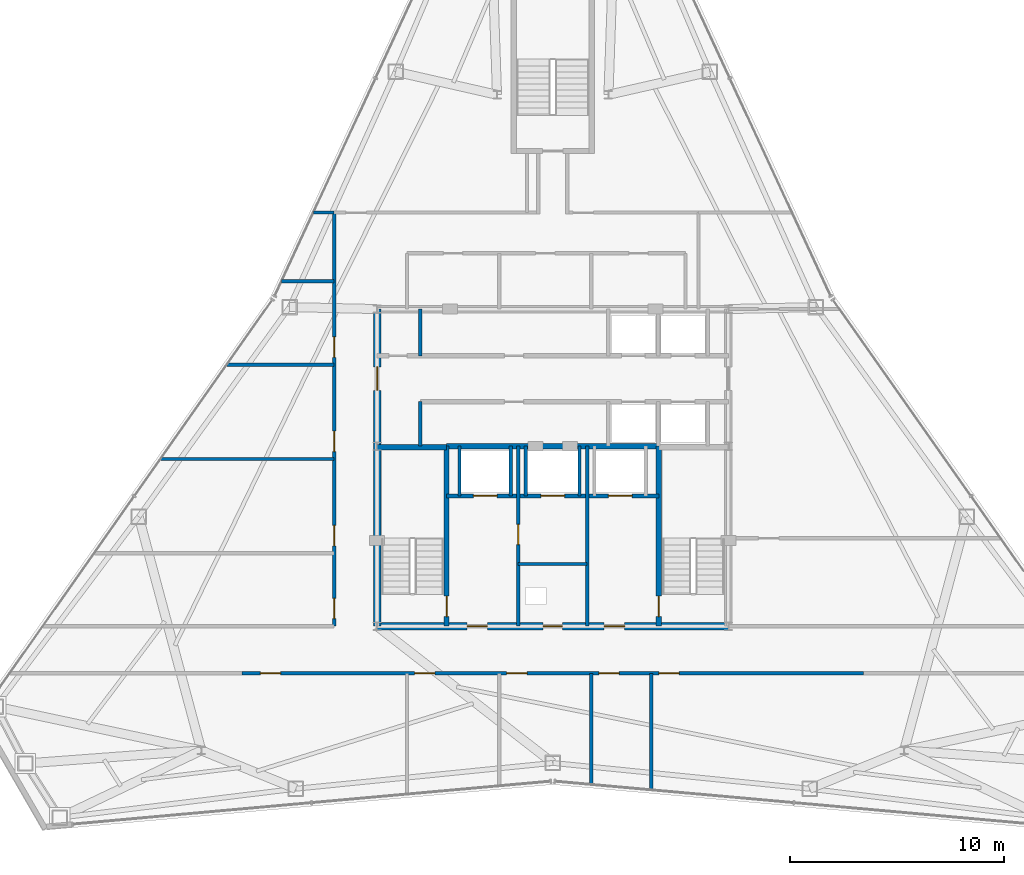
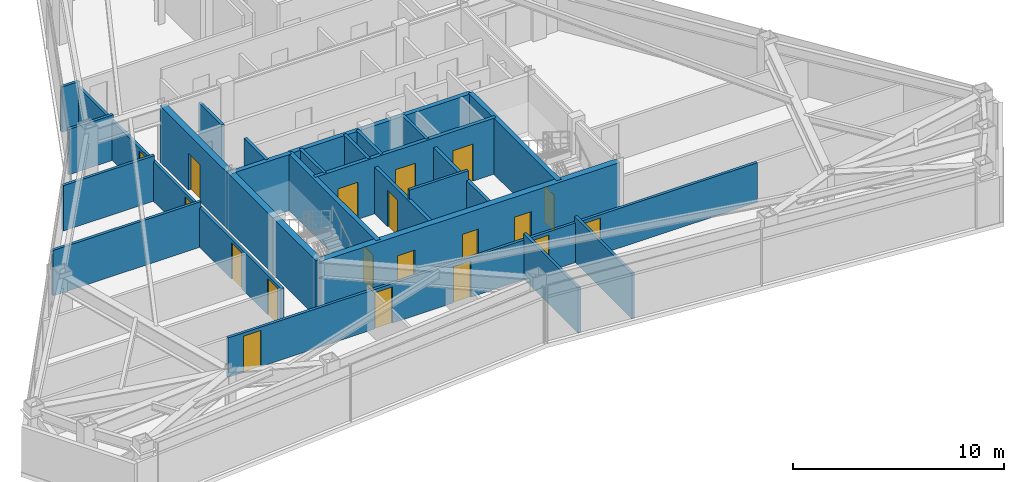
# One storey, part 9 of 12: 24 walls, 19 doors, 19 openings.
"""IFC4 building model written with IfcOpenShell, lengths in metres."""

from ifc_helpers import new_model, si_unit, direction, frame, frame_2d, origin, place, context, subcontext, project, spatial, rectangle, extrude, material, layer, layer_set, type_object, element, fill, save


model = new_model("IFC4")

# Units and contexts
model_context = context("Model", 3, precision=1e-05, world=origin(), true_north=direction((0.0, 1.0)))
body_context = subcontext(model_context, "Body", "Model", "MODEL_VIEW")
ifc_project = project(units=[si_unit("LENGTHUNIT", "METRE"), si_unit("AREAUNIT", "SQUARE_METRE"), si_unit("VOLUMEUNIT", "CUBIC_METRE"), si_unit("PLANEANGLEUNIT", "RADIAN"), si_unit("MASSUNIT", "GRAM", prefix="KILO")], contexts=[model_context])

# Site, building, storey
site_placement = place(None, origin())
site = spatial("IfcSite", under=ifc_project, at=site_placement, CompositionType="ELEMENT")
building_placement = place(site_placement, origin())
building = spatial("IfcBuilding", under=site, at=building_placement, Name="Varakhsha Concourse Tower", CompositionType="ELEMENT")
storey_placement = place(building_placement, frame((0.0, 0.0, 236.39990234375)))
storey = spatial("IfcBuildingStorey", under=building, at=storey_placement, Name="L67", CompositionType="ELEMENT", Elevation=236.39990234375)

# Wall, openings, doors
ifc_material_1 = material(Name="Concrete fc 65 MPa", Category="concrete")
ifc_layer_1 = layer(ifc_material_1, 0.35009765625, Name="WL-CORE-350")
ifc_layer_set_1 = layer_set([ifc_layer_1], Name="Concrete fc 65 MPa")
wall_type_1 = type_object("IfcWallType", Name="WL-CORE-350", PredefinedType="SHEAR", material=ifc_layer_set_1)
wall_1_placement = place(storey_placement, frame((31.800048828125, 16.39990234375, 0.0), z_axis=(0.0, 0.0, 1.0), x_axis=(1.0, 0.0, 0.0)))
wall_1 = element("IfcWall", 1, at=wall_1_placement, inside=storey, type_object=wall_type_1, Name="L67 Wall CWALL-S-L67", PredefinedType="SHEAR", context=body_context, shape_type="SweptSolid", body=[
    extrude(rectangle(XDim=16.39990234375, YDim=0.35009765625, at=frame_2d((8.199951171875, 0.0))), origin(), (0.0, 0.0, 1.0), 3.25),
])
opening_1_placement = place(wall_1_placement, frame((7.75, 0.0, 0.0)))
opening_1 = element("IfcOpeningElement", 2, at=opening_1_placement, cuts=wall_1, Name="Opening DF-06", PredefinedType="OPENING", context=body_context, shape_type="SweptSolid", body=[
    extrude(rectangle(XDim=0.89990234375, YDim=2.10009765625, at=frame_2d((0.449951171875, 1.050048828125))), frame((0.0, 0.18505859375, 0.0), z_axis=(0.0, -1.0, 0.0), x_axis=(1.0, 0.0, 0.0)), (0.0, 0.0, 1.0), 0.3701171875),
])
opening_2_placement = place(wall_1_placement, frame((4.199951171875, 0.0, 0.0)))
opening_2 = element("IfcOpeningElement", 3, at=opening_2_placement, cuts=wall_1, Name="Opening DF-05", PredefinedType="OPENING", context=body_context, shape_type="SweptSolid", body=[
    extrude(rectangle(XDim=0.949951171875, YDim=2.10009765625, at=frame_2d((0.47509765625, 1.050048828125))), frame((0.0, 0.18505859375, 0.0), z_axis=(0.0, -1.0, 0.0), x_axis=(1.0, 0.0, 0.0)), (0.0, 0.0, 1.0), 0.3701171875),
])
opening_3_placement = place(wall_1_placement, frame((10.60009765625, 0.0, 0.0)))
opening_3 = element("IfcOpeningElement", 4, at=opening_3_placement, cuts=wall_1, Name="Opening DF-05", PredefinedType="OPENING", context=body_context, shape_type="SweptSolid", body=[
    extrude(rectangle(XDim=0.949951171875, YDim=2.10009765625, at=frame_2d((0.47509765625, 1.050048828125))), frame((0.0, 0.18505859375, 0.0), z_axis=(0.0, -1.0, 0.0), x_axis=(1.0, 0.0, 0.0)), (0.0, 0.0, 1.0), 0.3701171875),
])
ifc_material_2 = material(Name="Hollow Galvanised Steel Fire Door Assembly", Category="steel")
door_type_1 = type_object("IfcDoorType", Name="DR-FD60-900", OperationType="NOTDEFINED", PredefinedType="DOOR", material=ifc_material_2)
door_1_placement = place(opening_1_placement, origin())
door_1 = element("IfcDoor", 5, at=door_1_placement, inside=storey, type_object=door_type_1, Name="L67 Electrical Riser Access Door", OperationType="SINGLE_SWING_LEFT", OverallHeight=2.10009765625, OverallWidth=0.89990234375, PredefinedType="DOOR", context=body_context, shape_type="SweptSolid", body=[
    extrude(rectangle(XDim=0.89990234375, YDim=2.10009765625, at=frame_2d((0.449951171875, 1.050048828125))), frame((0.0, 0.02490234375, 0.0), z_axis=(0.0, -1.0, 0.0), x_axis=(1.0, 0.0, 0.0)), (0.0, 0.0, 1.0), 0.050048828125),
])
fill(opening_1, door_1)
door_type_2 = type_object("IfcDoorType", Name="DR-FD60-950", OperationType="NOTDEFINED", PredefinedType="DOOR", material=ifc_material_2)
door_2_placement = place(opening_2_placement, origin())
door_2 = element("IfcDoor", 6, at=door_2_placement, inside=storey, type_object=door_type_2, Name="L67 Firefighting Lobby West Door", OperationType="SINGLE_SWING_RIGHT", OverallHeight=2.10009765625, OverallWidth=0.949951171875, PredefinedType="DOOR", context=body_context, shape_type="SweptSolid", body=[
    extrude(rectangle(XDim=0.949951171875, YDim=2.10009765625, at=frame_2d((0.47509765625, 1.050048828125))), frame((0.0, 0.02490234375, 0.0), z_axis=(0.0, -1.0, 0.0), x_axis=(1.0, 0.0, 0.0)), (0.0, 0.0, 1.0), 0.050048828125),
])
fill(opening_2, door_2)
door_3_placement = place(opening_3_placement, origin())
door_3 = element("IfcDoor", 7, at=door_3_placement, inside=storey, type_object=door_type_2, Name="L67 Firefighting Lobby East Door", OperationType="SINGLE_SWING_LEFT", OverallHeight=2.10009765625, OverallWidth=0.949951171875, PredefinedType="DOOR", context=body_context, shape_type="SweptSolid", body=[
    extrude(rectangle(XDim=0.949951171875, YDim=2.10009765625, at=frame_2d((0.47509765625, 1.050048828125))), frame((0.0, 0.02490234375, 0.0), z_axis=(0.0, -1.0, 0.0), x_axis=(1.0, 0.0, 0.0)), (0.0, 0.0, 1.0), 0.050048828125),
])
fill(opening_3, door_3)

# Wall, opening, door
wall_2_placement = place(storey_placement, frame((31.800048828125, 16.39990234375, 0.0), z_axis=(0.0, 0.0, 1.0), x_axis=(0.0, 1.0, 0.0)))
wall_2 = element("IfcWall", 8, at=wall_2_placement, inside=storey, type_object=wall_type_1, Name="L67 Wall CWALL-W-L67", PredefinedType="SHEAR", context=body_context, shape_type="SweptSolid", body=[
    extrude(rectangle(XDim=14.800048828125, YDim=0.35009765625, at=frame_2d((7.39990234375, 0.0))), origin(), (0.0, 0.0, 1.0), 3.25),
])
opening_4_placement = place(wall_2_placement, frame((11.0, 0.0, 0.0)))
opening_4 = element("IfcOpeningElement", 9, at=opening_4_placement, cuts=wall_2, Name="Opening DL-01", PredefinedType="OPENING", context=body_context, shape_type="SweptSolid", body=[
    extrude(rectangle(XDim=1.10009765625, YDim=2.14990234375, at=frame_2d((0.550048828125, 1.074951171875))), frame((0.0, 0.18505859375, 0.0), z_axis=(0.0, -1.0, 0.0), x_axis=(1.0, 0.0, 0.0)), (0.0, 0.0, 1.0), 0.3701171875),
])
ifc_material_3 = material(Name="Anodised Bronze Architectural Aluminium AA 6063-T6", Category="aluminium")
door_type_3 = type_object("IfcDoorType", Name="DR-LOB-1100", OperationType="NOTDEFINED", PredefinedType="DOOR", material=ifc_material_3)
door_4_placement = place(opening_4_placement, origin())
door_4 = element("IfcDoor", 10, at=door_4_placement, inside=storey, type_object=door_type_3, Name="L67 Lift Lobby West Concourse Door", OperationType="SINGLE_SWING_LEFT", OverallHeight=2.14990234375, OverallWidth=1.10009765625, PredefinedType="DOOR", context=body_context, shape_type="SweptSolid", body=[
    extrude(rectangle(XDim=1.10009765625, YDim=2.14990234375, at=frame_2d((0.550048828125, 1.074951171875))), frame((0.0, 0.02490234375, 0.0), z_axis=(0.0, -1.0, 0.0), x_axis=(1.0, 0.0, 0.0)), (0.0, 0.0, 1.0), 0.050048828125),
])
fill(opening_4, door_4)

ifc_material_4 = material(Name="Fire-Rated Type X Gypsum Partition Assembly", Category="gypsum")
ifc_layer_2 = layer(ifc_material_4, 0.179931640625, Name="WL-FFLOB-180")
ifc_layer_set_2 = layer_set([ifc_layer_2], Name="Fire-Rated Type X Gypsum Partition Assembly")
wall_type_2 = type_object("IfcWallType", Name="WL-FFLOB-180", PredefinedType="PARTITIONING", material=ifc_layer_set_2)
wall_3_placement = place(storey_placement, frame((38.389892578125, 16.39990234375, 0.0), z_axis=(0.0, 0.0, 1.0), x_axis=(0.0, 1.0, 0.0)))
wall_3 = element("IfcWall", 11, at=wall_3_placement, inside=storey, type_object=wall_type_2, Name="L67 Wall FFW-1E-L67", PredefinedType="PARTITIONING", context=body_context, shape_type="SweptSolid", body=[
    extrude(rectangle(XDim=8.400146484375, YDim=0.179931640625, at=frame_2d((4.2001953125, 0.0))), origin(), (0.0, 0.0, 1.0), 2.705078125),
])
opening_5_placement = place(wall_3_placement, frame((3.800048828125, 0.0, 0.0)))
opening_5 = element("IfcOpeningElement", 12, at=opening_5_placement, cuts=wall_3, Name="Opening DF-05", PredefinedType="OPENING", context=body_context, shape_type="SweptSolid", body=[
    extrude(rectangle(XDim=0.949951171875, YDim=2.10009765625, at=frame_2d((0.47509765625, 1.050048828125))), frame((0.0, 0.099853515625, 0.0), z_axis=(0.0, -1.0, 0.0), x_axis=(1.0, 0.0, 0.0)), (0.0, 0.0, 1.0), 0.199951171875),
])
door_5_placement = place(opening_5_placement, origin())
door_5 = element("IfcDoor", 13, at=door_5_placement, inside=storey, type_object=door_type_2, Name="L67 Service Vestibule Door", OperationType="SINGLE_SWING_RIGHT", OverallHeight=2.10009765625, OverallWidth=0.949951171875, PredefinedType="DOOR", context=body_context, shape_type="SweptSolid", body=[
    extrude(rectangle(XDim=0.949951171875, YDim=2.10009765625, at=frame_2d((0.47509765625, 1.050048828125))), frame((0.0, 0.02490234375, 0.0), z_axis=(0.0, -1.0, 0.0), x_axis=(1.0, 0.0, 0.0)), (0.0, 0.0, 1.0), 0.050048828125),
])
fill(opening_5, door_5)

# Walls
wall_4_placement = place(storey_placement, frame((41.610107421875, 16.39990234375, 0.0), z_axis=(0.0, 0.0, 1.0), x_axis=(0.0, 1.0, 0.0)))
element("IfcWall", 14, at=wall_4_placement, inside=storey, type_object=wall_type_2, Name="L67 Wall FFW-2W-L67", PredefinedType="PARTITIONING", context=body_context, shape_type="SweptSolid", body=[
    extrude(rectangle(XDim=8.400146484375, YDim=0.179931640625, at=frame_2d((4.2001953125, 0.0))), origin(), (0.0, 0.0, 1.0), 2.705078125),
])
ifc_layer_3 = layer(ifc_material_4, 0.14990234375, Name="WL-PART-150")
ifc_layer_set_3 = layer_set([ifc_layer_3], Name="Fire-Rated Type X Gypsum Partition Assembly")
wall_type_3 = type_object("IfcWallType", Name="WL-PART-150", PredefinedType="PARTITIONING", material=ifc_layer_set_3)
wall_5_placement = place(storey_placement, frame((38.389892578125, 19.300048828125, 0.0), z_axis=(0.0, 0.0, 1.0), x_axis=(1.0, 0.0, 0.0)))
element("IfcWall", 15, at=wall_5_placement, inside=storey, type_object=wall_type_3, Name="L67 Wall RSW-H-L67", PredefinedType="PARTITIONING", context=body_context, shape_type="SweptSolid", body=[
    extrude(rectangle(XDim=3.22021484375, YDim=0.14990234375, at=frame_2d((1.610107421875, 0.0))), origin(), (0.0, 0.0, 1.0), 3.25),
])

# Wall, openings, doors
wall_6_placement = place(storey_placement, frame((29.800048828125, 16.39990234375, 0.0), z_axis=(0.0, 0.0, 1.0), x_axis=(0.0, 1.0, 0.0)))
wall_6 = element("IfcWall", 16, at=wall_6_placement, inside=storey, type_object=wall_type_3, Name="L67 Wall CRW-W-L67", PredefinedType="PARTITIONING", context=body_context, shape_type="SweptSolid", body=[
    extrude(rectangle(XDim=19.300048828125, YDim=0.14990234375, at=frame_2d((9.64990234375, 0.0))), origin(), (0.0, 0.0, 1.0), 2.2919921875),
])
opening_6_placement = place(wall_6_placement, frame((0.35009765625, 0.0, 0.0)))
opening_6 = element("IfcOpeningElement", 17, at=opening_6_placement, cuts=wall_6, Name="Opening DF-05", PredefinedType="OPENING", context=body_context, shape_type="SweptSolid", body=[
    extrude(rectangle(XDim=0.949951171875, YDim=2.10009765625, at=frame_2d((0.47509765625, 1.050048828125))), frame((0.0, 0.0849609375, 0.0), z_axis=(0.0, -1.0, 0.0), x_axis=(1.0, 0.0, 0.0)), (0.0, 0.0, 1.0), 0.169921875),
])
opening_7_placement = place(wall_6_placement, frame((3.75, 0.0, 0.0)))
opening_7 = element("IfcOpeningElement", 18, at=opening_7_placement, cuts=wall_6, Name="Opening DF-05", PredefinedType="OPENING", context=body_context, shape_type="SweptSolid", body=[
    extrude(rectangle(XDim=0.949951171875, YDim=2.10009765625, at=frame_2d((0.47509765625, 1.050048828125))), frame((0.0, 0.0849609375, 0.0), z_axis=(0.0, -1.0, 0.0), x_axis=(1.0, 0.0, 0.0)), (0.0, 0.0, 1.0), 0.169921875),
])
opening_8_placement = place(wall_6_placement, frame((8.14990234375, 0.0, 0.0)))
opening_8 = element("IfcOpeningElement", 19, at=opening_8_placement, cuts=wall_6, Name="Opening DF-05", PredefinedType="OPENING", context=body_context, shape_type="SweptSolid", body=[
    extrude(rectangle(XDim=0.949951171875, YDim=2.10009765625, at=frame_2d((0.47509765625, 1.050048828125))), frame((0.0, 0.0849609375, 0.0), z_axis=(0.0, -1.0, 0.0), x_axis=(1.0, 0.0, 0.0)), (0.0, 0.0, 1.0), 0.169921875),
])
opening_9_placement = place(wall_6_placement, frame((12.550048828125, 0.0, 0.0)))
opening_9 = element("IfcOpeningElement", 20, at=opening_9_placement, cuts=wall_6, Name="Opening DF-05", PredefinedType="OPENING", context=body_context, shape_type="SweptSolid", body=[
    extrude(rectangle(XDim=0.949951171875, YDim=2.10009765625, at=frame_2d((0.47509765625, 1.050048828125))), frame((0.0, 0.0849609375, 0.0), z_axis=(0.0, -1.0, 0.0), x_axis=(1.0, 0.0, 0.0)), (0.0, 0.0, 1.0), 0.169921875),
])
door_6_placement = place(opening_6_placement, origin())
door_6 = element("IfcDoor", 21, at=door_6_placement, inside=storey, type_object=door_type_2, Name="L67 Chambers Break Kitchen L67 Door", OperationType="SINGLE_SWING_RIGHT", OverallHeight=2.10009765625, OverallWidth=0.949951171875, PredefinedType="DOOR", context=body_context, shape_type="SweptSolid", body=[
    extrude(rectangle(XDim=0.949951171875, YDim=2.10009765625, at=frame_2d((0.47509765625, 1.050048828125))), frame((0.0, 0.02490234375, 0.0), z_axis=(0.0, -1.0, 0.0), x_axis=(1.0, 0.0, 0.0)), (0.0, 0.0, 1.0), 0.050048828125),
])
fill(opening_6, door_6)
door_7_placement = place(opening_7_placement, origin())
door_7 = element("IfcDoor", 22, at=door_7_placement, inside=storey, type_object=door_type_2, Name="L67 Senior Partner Chamber L67-W2 Door", OperationType="SINGLE_SWING_LEFT", OverallHeight=2.10009765625, OverallWidth=0.949951171875, PredefinedType="DOOR", context=body_context, shape_type="SweptSolid", body=[
    extrude(rectangle(XDim=0.949951171875, YDim=2.10009765625, at=frame_2d((0.47509765625, 1.050048828125))), frame((0.0, 0.02490234375, 0.0), z_axis=(0.0, -1.0, 0.0), x_axis=(1.0, 0.0, 0.0)), (0.0, 0.0, 1.0), 0.050048828125),
])
fill(opening_7, door_7)
door_8_placement = place(opening_8_placement, origin())
door_8 = element("IfcDoor", 23, at=door_8_placement, inside=storey, type_object=door_type_2, Name="L67 Senior Partner Chamber L67-W3 Door", OperationType="SINGLE_SWING_RIGHT", OverallHeight=2.10009765625, OverallWidth=0.949951171875, PredefinedType="DOOR", context=body_context, shape_type="SweptSolid", body=[
    extrude(rectangle(XDim=0.949951171875, YDim=2.10009765625, at=frame_2d((0.47509765625, 1.050048828125))), frame((0.0, 0.02490234375, 0.0), z_axis=(0.0, -1.0, 0.0), x_axis=(1.0, 0.0, 0.0)), (0.0, 0.0, 1.0), 0.050048828125),
])
fill(opening_8, door_8)
door_9_placement = place(opening_9_placement, origin())
door_9 = element("IfcDoor", 24, at=door_9_placement, inside=storey, type_object=door_type_2, Name="L67 Senior Partner Chamber L67-W4 Door", OperationType="SINGLE_SWING_LEFT", OverallHeight=2.10009765625, OverallWidth=0.949951171875, PredefinedType="DOOR", context=body_context, shape_type="SweptSolid", body=[
    extrude(rectangle(XDim=0.949951171875, YDim=2.10009765625, at=frame_2d((0.47509765625, 1.050048828125))), frame((0.0, 0.02490234375, 0.0), z_axis=(0.0, -1.0, 0.0), x_axis=(1.0, 0.0, 0.0)), (0.0, 0.0, 1.0), 0.050048828125),
])
fill(opening_9, door_9)

wall_7_placement = place(storey_placement, frame((25.5, 14.199951171875, 0.0), z_axis=(0.0, 0.0, 1.0), x_axis=(1.0, 0.0, 0.0)))
wall_7 = element("IfcWall", 25, at=wall_7_placement, inside=storey, type_object=wall_type_3, Name="L67 Wall CRW-S-DOOR-L67", PredefinedType="PARTITIONING", context=body_context, shape_type="SweptSolid", body=[
    extrude(rectangle(XDim=29.0, YDim=0.14990234375, at=frame_2d((14.5, 0.0))), origin(), (0.0, 0.0, 1.0), 2.2919921875),
])
opening_10_placement = place(wall_7_placement, frame((0.85009765625, 0.0, 0.0)))
opening_10 = element("IfcOpeningElement", 26, at=opening_10_placement, cuts=wall_7, Name="Opening DF-05", PredefinedType="OPENING", context=body_context, shape_type="SweptSolid", body=[
    extrude(rectangle(XDim=0.949951171875, YDim=2.10009765625, at=frame_2d((0.47509765625, 1.050048828125))), frame((0.0, 0.0849609375, 0.0), z_axis=(0.0, -1.0, 0.0), x_axis=(1.0, 0.0, 0.0)), (0.0, 0.0, 1.0), 0.169921875),
])
opening_11_placement = place(wall_7_placement, frame((8.050048828125, 0.0, 0.0)))
opening_11 = element("IfcOpeningElement", 27, at=opening_11_placement, cuts=wall_7, Name="Opening DF-05", PredefinedType="OPENING", context=body_context, shape_type="SweptSolid", body=[
    extrude(rectangle(XDim=0.949951171875, YDim=2.10009765625, at=frame_2d((0.47509765625, 1.050048828125))), frame((0.0, 0.0849609375, 0.0), z_axis=(0.0, -1.0, 0.0), x_axis=(1.0, 0.0, 0.0)), (0.0, 0.0, 1.0), 0.169921875),
])
opening_12_placement = place(wall_7_placement, frame((12.35009765625, 0.0, 0.0)))
opening_12 = element("IfcOpeningElement", 28, at=opening_12_placement, cuts=wall_7, Name="Opening DF-05", PredefinedType="OPENING", context=body_context, shape_type="SweptSolid", body=[
    extrude(rectangle(XDim=0.949951171875, YDim=2.10009765625, at=frame_2d((0.47509765625, 1.050048828125))), frame((0.0, 0.0849609375, 0.0), z_axis=(0.0, -1.0, 0.0), x_axis=(1.0, 0.0, 0.0)), (0.0, 0.0, 1.0), 0.169921875),
])
opening_13_placement = place(wall_7_placement, frame((16.64990234375, 0.0, 0.0)))
opening_13 = element("IfcOpeningElement", 29, at=opening_13_placement, cuts=wall_7, Name="Opening DF-05", PredefinedType="OPENING", context=body_context, shape_type="SweptSolid", body=[
    extrude(rectangle(XDim=0.949951171875, YDim=2.10009765625, at=frame_2d((0.47509765625, 1.050048828125))), frame((0.0, 0.0849609375, 0.0), z_axis=(0.0, -1.0, 0.0), x_axis=(1.0, 0.0, 0.0)), (0.0, 0.0, 1.0), 0.169921875),
])
opening_14_placement = place(wall_7_placement, frame((19.449951171875, 0.0, 0.0)))
opening_14 = element("IfcOpeningElement", 30, at=opening_14_placement, cuts=wall_7, Name="Opening DF-05", PredefinedType="OPENING", context=body_context, shape_type="SweptSolid", body=[
    extrude(rectangle(XDim=0.949951171875, YDim=2.10009765625, at=frame_2d((0.47509765625, 1.050048828125))), frame((0.0, 0.0849609375, 0.0), z_axis=(0.0, -1.0, 0.0), x_axis=(1.0, 0.0, 0.0)), (0.0, 0.0, 1.0), 0.169921875),
])
door_10_placement = place(opening_10_placement, origin())
door_10 = element("IfcDoor", 31, at=door_10_placement, inside=storey, type_object=door_type_2, Name="L67 Deposition Conference Room L67-S1 Door", OperationType="SINGLE_SWING_LEFT", OverallHeight=2.10009765625, OverallWidth=0.949951171875, PredefinedType="DOOR", context=body_context, shape_type="SweptSolid", body=[
    extrude(rectangle(XDim=0.949951171875, YDim=2.10009765625, at=frame_2d((0.47509765625, 1.050048828125))), frame((0.0, 0.02490234375, 0.0), z_axis=(0.0, -1.0, 0.0), x_axis=(1.0, 0.0, 0.0)), (0.0, 0.0, 1.0), 0.050048828125),
])
fill(opening_10, door_10)
door_11_placement = place(opening_11_placement, origin())
door_11 = element("IfcDoor", 32, at=door_11_placement, inside=storey, type_object=door_type_2, Name="L67 Senior Partner Chamber L67-S2 Door", OperationType="SINGLE_SWING_RIGHT", OverallHeight=2.10009765625, OverallWidth=0.949951171875, PredefinedType="DOOR", context=body_context, shape_type="SweptSolid", body=[
    extrude(rectangle(XDim=0.949951171875, YDim=2.10009765625, at=frame_2d((0.47509765625, 1.050048828125))), frame((0.0, 0.02490234375, 0.0), z_axis=(0.0, -1.0, 0.0), x_axis=(1.0, 0.0, 0.0)), (0.0, 0.0, 1.0), 0.050048828125),
])
fill(opening_11, door_11)
door_12_placement = place(opening_12_placement, origin())
door_12 = element("IfcDoor", 33, at=door_12_placement, inside=storey, type_object=door_type_2, Name="L67 Senior Partner Chamber L67-S3 Door", OperationType="SINGLE_SWING_LEFT", OverallHeight=2.10009765625, OverallWidth=0.949951171875, PredefinedType="DOOR", context=body_context, shape_type="SweptSolid", body=[
    extrude(rectangle(XDim=0.949951171875, YDim=2.10009765625, at=frame_2d((0.47509765625, 1.050048828125))), frame((0.0, 0.02490234375, 0.0), z_axis=(0.0, -1.0, 0.0), x_axis=(1.0, 0.0, 0.0)), (0.0, 0.0, 1.0), 0.050048828125),
])
fill(opening_12, door_12)
door_13_placement = place(opening_13_placement, origin())
door_13 = element("IfcDoor", 34, at=door_13_placement, inside=storey, type_object=door_type_2, Name="L67 Senior Partner Chamber L67-S4 Door", OperationType="SINGLE_SWING_RIGHT", OverallHeight=2.10009765625, OverallWidth=0.949951171875, PredefinedType="DOOR", context=body_context, shape_type="SweptSolid", body=[
    extrude(rectangle(XDim=0.949951171875, YDim=2.10009765625, at=frame_2d((0.47509765625, 1.050048828125))), frame((0.0, 0.02490234375, 0.0), z_axis=(0.0, -1.0, 0.0), x_axis=(1.0, 0.0, 0.0)), (0.0, 0.0, 1.0), 0.050048828125),
])
fill(opening_13, door_13)
door_14_placement = place(opening_14_placement, origin())
door_14 = element("IfcDoor", 35, at=door_14_placement, inside=storey, type_object=door_type_2, Name="L67 Senior Partner Chamber L67-S5 Door", OperationType="SINGLE_SWING_LEFT", OverallHeight=2.10009765625, OverallWidth=0.949951171875, PredefinedType="DOOR", context=body_context, shape_type="SweptSolid", body=[
    extrude(rectangle(XDim=0.949951171875, YDim=2.10009765625, at=frame_2d((0.47509765625, 1.050048828125))), frame((0.0, 0.02490234375, 0.0), z_axis=(0.0, -1.0, 0.0), x_axis=(1.0, 0.0, 0.0)), (0.0, 0.0, 1.0), 0.050048828125),
])
fill(opening_14, door_14)

# Walls
wall_8_placement = place(storey_placement, frame((41.800048828125, 9.009521484375, 0.0), z_axis=(0.0, 0.0, 1.0), x_axis=(0.0, 1.0, 0.0)))
element("IfcWall", 36, at=wall_8_placement, inside=storey, type_object=wall_type_3, Name="L67 Wall ODIV-S3-L67", PredefinedType="PARTITIONING", context=body_context, shape_type="SweptSolid", body=[
    extrude(rectangle(XDim=5.1904296875, YDim=0.14990234375, at=frame_2d((2.59521484375, 0.0))), origin(), (0.0, 0.0, 1.0), 2.628173828125),
])
wall_9_placement = place(storey_placement, frame((44.60009765625, 8.75830078125, 0.0), z_axis=(0.0, 0.0, 1.0), x_axis=(0.0, 1.0, 0.0)))
element("IfcWall", 37, at=wall_9_placement, inside=storey, type_object=wall_type_3, Name="L67 Wall ODIV-S4-L67", PredefinedType="PARTITIONING", context=body_context, shape_type="SweptSolid", body=[
    extrude(rectangle(XDim=5.441650390625, YDim=0.14990234375, at=frame_2d((2.720703125, 0.0))), origin(), (0.0, 0.0, 1.0), 2.628173828125),
])
wall_10_placement = place(storey_placement, frame((28.832275390625, 35.699951171875, 0.0), z_axis=(0.0, 0.0, 1.0), x_axis=(1.0, 0.0, 0.0)))
element("IfcWall", 38, at=wall_10_placement, inside=storey, type_object=wall_type_3, Name="L67 Wall ODIV-WBN-L67", PredefinedType="PARTITIONING", context=body_context, shape_type="SweptSolid", body=[
    extrude(rectangle(XDim=0.9677734375, YDim=0.14990234375, at=frame_2d((0.48388671875, 0.0))), origin(), (0.0, 0.0, 1.0), 2.628173828125),
])
wall_11_placement = place(storey_placement, frame((21.697509765625, 24.199951171875, 0.0), z_axis=(0.0, 0.0, 1.0), x_axis=(1.0, 0.0, 0.0)))
element("IfcWall", 39, at=wall_11_placement, inside=storey, type_object=wall_type_3, Name="L67 Wall ODIV-W2-L67", PredefinedType="PARTITIONING", context=body_context, shape_type="SweptSolid", body=[
    extrude(rectangle(XDim=8.1025390625, YDim=0.14990234375, at=frame_2d((4.05126953125, 0.0))), origin(), (0.0, 0.0, 1.0), 2.628173828125),
])
wall_12_placement = place(storey_placement, frame((24.79345703125, 28.60009765625, 0.0), z_axis=(0.0, 0.0, 1.0), x_axis=(1.0, 0.0, 0.0)))
element("IfcWall", 40, at=wall_12_placement, inside=storey, type_object=wall_type_3, Name="L67 Wall ODIV-W3-L67", PredefinedType="PARTITIONING", context=body_context, shape_type="SweptSolid", body=[
    extrude(rectangle(XDim=5.006591796875, YDim=0.14990234375, at=frame_2d((2.50341796875, 0.0))), origin(), (0.0, 0.0, 1.0), 2.628173828125),
])
wall_13_placement = place(storey_placement, frame((27.348876953125, 32.5, 0.0), z_axis=(0.0, 0.0, 1.0), x_axis=(1.0, 0.0, 0.0)))
element("IfcWall", 41, at=wall_13_placement, inside=storey, type_object=wall_type_3, Name="L67 Wall ODIV-W4-L67", PredefinedType="PARTITIONING", context=body_context, shape_type="SweptSolid", body=[
    extrude(rectangle(XDim=2.451171875, YDim=0.14990234375, at=frame_2d((1.2255859375, 0.0))), origin(), (0.0, 0.0, 1.0), 2.628173828125),
])

# Wall, openings, doors
ifc_layer_4 = layer(ifc_material_4, 0.199951171875, Name="WL-SHAFT-220")
ifc_layer_set_4 = layer_set([ifc_layer_4], Name="Fire-Rated Type X Gypsum Partition Assembly")
wall_type_4 = type_object("IfcWallType", Name="WL-SHAFT-220", PredefinedType="SOLIDWALL", material=ifc_layer_set_4)
wall_14_placement = place(storey_placement, frame((35.044921875, 22.47998046875, 0.0), z_axis=(0.0, 0.0, 1.0), x_axis=(1.0, 0.0, 0.0)))
wall_14 = element("IfcWall", 42, at=wall_14_placement, inside=storey, type_object=wall_type_4, Name="L67 Wall FFW-NH-L67", PredefinedType="SOLIDWALL", context=body_context, shape_type="SweptSolid", body=[
    extrude(rectangle(XDim=9.91015625, YDim=0.199951171875, at=frame_2d((4.955078125, 0.0))), origin(), (0.0, 0.0, 1.0), 3.25),
])
opening_15_placement = place(wall_14_placement, frame((1.2548828125, 0.0, 0.0)))
opening_15 = element("IfcOpeningElement", 43, at=opening_15_placement, cuts=wall_14, Name="Opening LD-FFL-1", PredefinedType="OPENING", context=body_context, shape_type="SweptSolid", body=[
    extrude(rectangle(XDim=1.10009765625, YDim=2.14990234375, at=frame_2d((0.550048828125, 1.074951171875))), frame((0.0, 0.10986328125, 0.0), z_axis=(0.0, -1.0, 0.0), x_axis=(1.0, 0.0, 0.0)), (0.0, 0.0, 1.0), 0.219970703125),
])
opening_16_placement = place(wall_14_placement, frame((7.554931640625, 0.0, 0.0)))
opening_16 = element("IfcOpeningElement", 44, at=opening_16_placement, cuts=wall_14, Name="Opening LD-FFL-2", PredefinedType="OPENING", context=body_context, shape_type="SweptSolid", body=[
    extrude(rectangle(XDim=1.10009765625, YDim=2.14990234375, at=frame_2d((0.550048828125, 1.074951171875))), frame((0.0, 0.10986328125, 0.0), z_axis=(0.0, -1.0, 0.0), x_axis=(1.0, 0.0, 0.0)), (0.0, 0.0, 1.0), 0.219970703125),
])
opening_17_placement = place(wall_14_placement, frame((4.405029296875, 0.0, 0.0)))
opening_17 = element("IfcOpeningElement", 45, at=opening_17_placement, cuts=wall_14, Name="Opening LD-SVL-1", PredefinedType="OPENING", context=body_context, shape_type="SweptSolid", body=[
    extrude(rectangle(XDim=1.10009765625, YDim=2.14990234375, at=frame_2d((0.550048828125, 1.074951171875))), frame((0.0, 0.10986328125, 0.0), z_axis=(0.0, -1.0, 0.0), x_axis=(1.0, 0.0, 0.0)), (0.0, 0.0, 1.0), 0.219970703125),
])
ifc_material_5 = material(Name="Brushed Austenitic Stainless Steel AISI 316", Category="steel")
door_type_4 = type_object("IfcDoorType", Name="DR-LD-1100", OperationType="DOUBLE_DOOR_SLIDING", PredefinedType="DOOR", material=ifc_material_5)
door_15_placement = place(opening_15_placement, origin())
door_15 = element("IfcDoor", 46, at=door_15_placement, inside=storey, type_object=door_type_4, Name="Lift Landing Door FFL-1 L67", OperationType="DOUBLE_DOOR_SLIDING", OverallHeight=2.14990234375, OverallWidth=1.10009765625, PredefinedType="DOOR", context=body_context, shape_type="SweptSolid", body=[
    extrude(rectangle(XDim=1.10009765625, YDim=2.14990234375, at=frame_2d((0.550048828125, 1.074951171875))), frame((0.0, 0.02490234375, 0.0), z_axis=(0.0, -1.0, 0.0), x_axis=(1.0, 0.0, 0.0)), (0.0, 0.0, 1.0), 0.050048828125),
])
fill(opening_15, door_15)
door_16_placement = place(opening_16_placement, origin())
door_16 = element("IfcDoor", 47, at=door_16_placement, inside=storey, type_object=door_type_4, Name="Lift Landing Door FFL-2 L67", OperationType="DOUBLE_DOOR_SLIDING", OverallHeight=2.14990234375, OverallWidth=1.10009765625, PredefinedType="DOOR", context=body_context, shape_type="SweptSolid", body=[
    extrude(rectangle(XDim=1.10009765625, YDim=2.14990234375, at=frame_2d((0.550048828125, 1.074951171875))), frame((0.0, 0.02490234375, 0.0), z_axis=(0.0, -1.0, 0.0), x_axis=(1.0, 0.0, 0.0)), (0.0, 0.0, 1.0), 0.050048828125),
])
fill(opening_16, door_16)
door_17_placement = place(opening_17_placement, origin())
door_17 = element("IfcDoor", 48, at=door_17_placement, inside=storey, type_object=door_type_4, Name="Lift Landing Door SVL-1 L67", OperationType="DOUBLE_DOOR_SLIDING", OverallHeight=2.14990234375, OverallWidth=1.10009765625, PredefinedType="DOOR", context=body_context, shape_type="SweptSolid", body=[
    extrude(rectangle(XDim=1.10009765625, YDim=2.14990234375, at=frame_2d((0.550048828125, 1.074951171875))), frame((0.0, 0.02490234375, 0.0), z_axis=(0.0, -1.0, 0.0), x_axis=(1.0, 0.0, 0.0)), (0.0, 0.0, 1.0), 0.050048828125),
])
fill(opening_17, door_17)

# Walls
for number, where, z_axis, x_axis, name in (
    (49, (35.64990234375, 22.47998046875, 0.0), (0.0, 0.0, 1.0), (0.0, 1.0, 0.0), "L67 Wall SHW-FFL-1-W-L67"),
    (50, (38.050048828125, 22.47998046875, 0.0), (0.0, 0.0, 1.0), (0.0, 1.0, 0.0), "L67 Wall SHW-FFL-1-E-L67"),
    (51, (38.75, 22.47998046875, 0.0), (0.0, 0.0, 1.0), (0.0, 1.0, 0.0), "L67 Wall SHW-SVL-1-W-L67"),
    (52, (41.25, 22.47998046875, 0.0), (0.0, 0.0, 1.0), (0.0, 1.0, 0.0), "L67 Wall SHW-SVL-1-E-L67"),
):
    element("IfcWall", number, at=place(storey_placement, frame(where, z_axis=z_axis, x_axis=x_axis)), inside=storey, type_object=wall_type_4, Name=name, PredefinedType="SOLIDWALL", context=body_context, shape_type="SweptSolid", body=[
        extrude(rectangle(XDim=2.320068359375, YDim=0.159912109375, at=frame_2d((1.16015625, 0.0))), origin(), (0.0, 0.0, 1.0), 3.25),
    ])
wall_15_placement = place(storey_placement, frame((33.820068359375, 29.02001953125, 0.0), z_axis=(0.0, 0.0, 1.0), x_axis=(0.0, 1.0, 0.0)))
element("IfcWall", 53, at=wall_15_placement, inside=storey, type_object=wall_type_4, Name="L67 Wall WBOH-E1-L67", PredefinedType="SOLIDWALL", context=body_context, shape_type="SweptSolid", body=[
    extrude(rectangle(XDim=2.179931640625, YDim=0.159912109375, at=frame_2d((1.08984375, 0.0))), origin(), (0.0, 0.0, 1.0), 2.705078125),
])
wall_16_placement = place(storey_placement, frame((33.820068359375, 24.800048828125, 0.0), z_axis=(0.0, 0.0, 1.0), x_axis=(0.0, 1.0, 0.0)))
element("IfcWall", 54, at=wall_16_placement, inside=storey, type_object=wall_type_4, Name="L67 Wall WBOH-E2-L67", PredefinedType="SOLIDWALL", context=body_context, shape_type="SweptSolid", body=[
    extrude(rectangle(XDim=2.079833984375, YDim=0.159912109375, at=frame_2d((1.0400390625, 0.0))), origin(), (0.0, 0.0, 1.0), 3.25),
])

# Wall, opening, door
ifc_material_6 = material(Name="Concrete fc 45 MPa", Category="concrete")
ifc_layer_5 = layer(ifc_material_6, 0.25, Name="WL-STAIR-250")
ifc_layer_set_5 = layer_set([ifc_layer_5], Name="Concrete fc 45 MPa")
wall_type_5 = type_object("IfcWallType", Name="WL-STAIR-250", PredefinedType="SHEAR", material=ifc_layer_set_5)
wall_17_placement = place(storey_placement, frame((35.044921875, 16.39990234375, 0.0), z_axis=(0.0, 0.0, 1.0), x_axis=(0.0, 1.0, 0.0)))
wall_17 = element("IfcWall", 55, at=wall_17_placement, inside=storey, type_object=wall_type_5, Name="L67 Wall SWALL-ST1-E-L67", PredefinedType="SHEAR", context=body_context, shape_type="SweptSolid", body=[
    extrude(rectangle(XDim=8.400146484375, YDim=0.25, at=frame_2d((4.2001953125, 0.0))), origin(), (0.0, 0.0, 1.0), 3.25),
])
opening_18_placement = place(wall_17_placement, frame((0.449951171875, 0.0, 0.0)))
opening_18 = element("IfcOpeningElement", 56, at=opening_18_placement, cuts=wall_17, Name="Opening DF-03", PredefinedType="OPENING", context=body_context, shape_type="SweptSolid", body=[
    extrude(rectangle(XDim=0.949951171875, YDim=2.10009765625, at=frame_2d((0.47509765625, 1.050048828125))), frame((0.0, 0.135009765625, 0.0), z_axis=(0.0, -1.0, 0.0), x_axis=(1.0, 0.0, 0.0)), (0.0, 0.0, 1.0), 0.27001953125),
])
door_type_5 = type_object("IfcDoorType", Name="DR-FD90-950", OperationType="NOTDEFINED", PredefinedType="DOOR", material=ifc_material_2)
door_18_placement = place(opening_18_placement, origin())
door_18 = element("IfcDoor", 57, at=door_18_placement, inside=storey, type_object=door_type_5, Name="L67 Stair ST1 Fire Door", OperationType="SINGLE_SWING_LEFT", OverallHeight=2.10009765625, OverallWidth=0.949951171875, PredefinedType="DOOR", context=body_context, shape_type="SweptSolid", body=[
    extrude(rectangle(XDim=0.949951171875, YDim=2.10009765625, at=frame_2d((0.47509765625, 1.050048828125))), frame((0.0, 0.02490234375, 0.0), z_axis=(0.0, -1.0, 0.0), x_axis=(1.0, 0.0, 0.0)), (0.0, 0.0, 1.0), 0.050048828125),
])
fill(opening_18, door_18)

# Wall
wall_18_placement = place(storey_placement, frame((31.800048828125, 24.7548828125, 0.0), z_axis=(0.0, 0.0, 1.0), x_axis=(1.0, 0.0, 0.0)))
element("IfcWall", 58, at=wall_18_placement, inside=storey, type_object=wall_type_5, Name="L67 Wall SWALL-ST1-N-L67", PredefinedType="SHEAR", context=body_context, shape_type="SweptSolid", body=[
    extrude(rectangle(XDim=3.244873046875, YDim=0.25, at=frame_2d((1.62255859375, 0.0))), origin(), (0.0, 0.0, 1.0), 3.25),
])

# Wall, opening, door
wall_19_placement = place(storey_placement, frame((44.955078125, 16.39990234375, 0.0), z_axis=(0.0, 0.0, 1.0), x_axis=(0.0, 1.0, 0.0)))
wall_19 = element("IfcWall", 59, at=wall_19_placement, inside=storey, type_object=wall_type_5, Name="L67 Wall SWALL-ST2-W-L67", PredefinedType="SHEAR", context=body_context, shape_type="SweptSolid", body=[
    extrude(rectangle(XDim=8.400146484375, YDim=0.25, at=frame_2d((4.2001953125, 0.0))), origin(), (0.0, 0.0, 1.0), 3.25),
])
opening_19_placement = place(wall_19_placement, frame((0.449951171875, 0.0, 0.0)))
opening_19 = element("IfcOpeningElement", 60, at=opening_19_placement, cuts=wall_19, Name="Opening DF-03", PredefinedType="OPENING", context=body_context, shape_type="SweptSolid", body=[
    extrude(rectangle(XDim=0.949951171875, YDim=2.10009765625, at=frame_2d((0.47509765625, 1.050048828125))), frame((0.0, 0.135009765625, 0.0), z_axis=(0.0, -1.0, 0.0), x_axis=(1.0, 0.0, 0.0)), (0.0, 0.0, 1.0), 0.27001953125),
])
door_19_placement = place(opening_19_placement, origin())
door_19 = element("IfcDoor", 61, at=door_19_placement, inside=storey, type_object=door_type_5, Name="L67 Stair ST2 Fire Door", OperationType="SINGLE_SWING_RIGHT", OverallHeight=2.10009765625, OverallWidth=0.949951171875, PredefinedType="DOOR", context=body_context, shape_type="SweptSolid", body=[
    extrude(rectangle(XDim=0.949951171875, YDim=2.10009765625, at=frame_2d((0.47509765625, 1.050048828125))), frame((0.0, 0.02490234375, 0.0), z_axis=(0.0, -1.0, 0.0), x_axis=(1.0, 0.0, 0.0)), (0.0, 0.0, 1.0), 0.050048828125),
])
fill(opening_19, door_19)

# Wall
wall_20_placement = place(storey_placement, frame((35.044921875, 24.800048828125, 0.0), z_axis=(0.0, 0.0, 1.0), x_axis=(1.0, 0.0, 0.0)))
element("IfcWall", 62, at=wall_20_placement, inside=storey, type_object=wall_type_5, Name="L67 Wall SWALL-MID-H-L67", PredefinedType="SHEAR", context=body_context, shape_type="SweptSolid", body=[
    extrude(rectangle(XDim=9.91015625, YDim=0.25, at=frame_2d((4.955078125, 0.0))), origin(), (0.0, 0.0, 1.0), 3.25),
])

save(model, "model.ifc")
